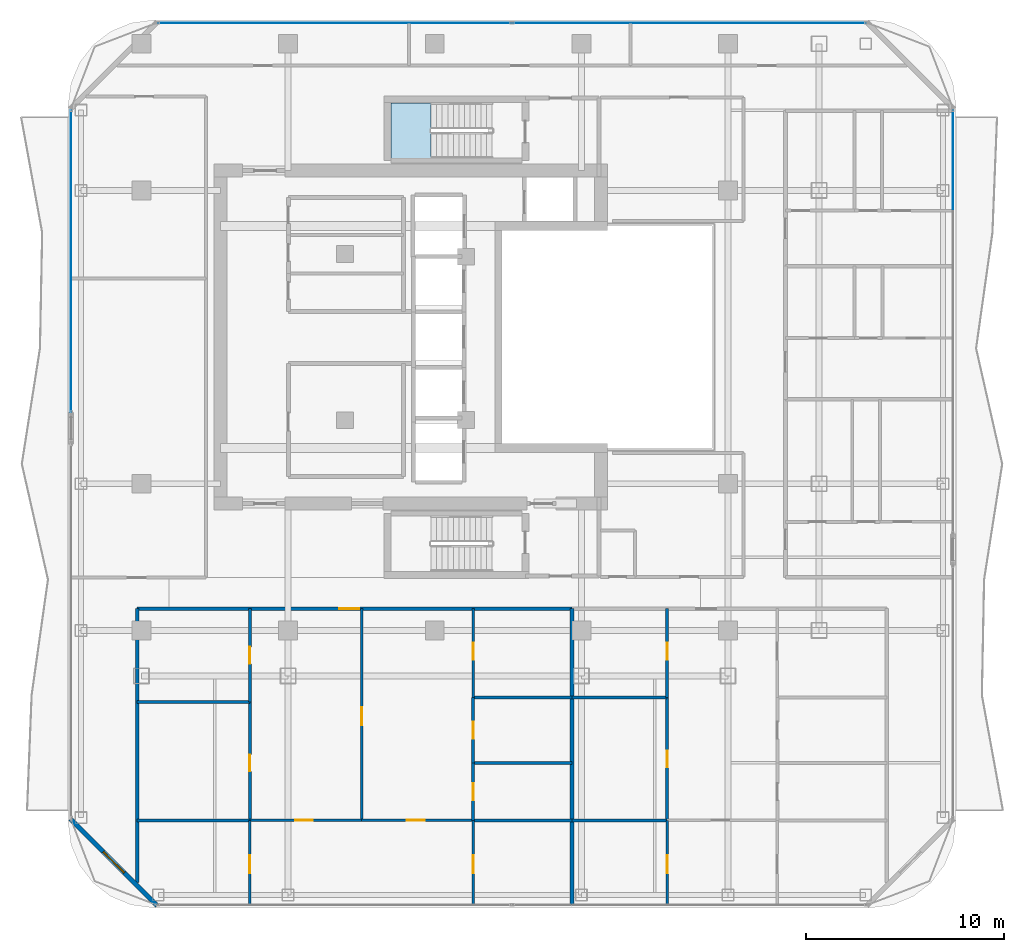
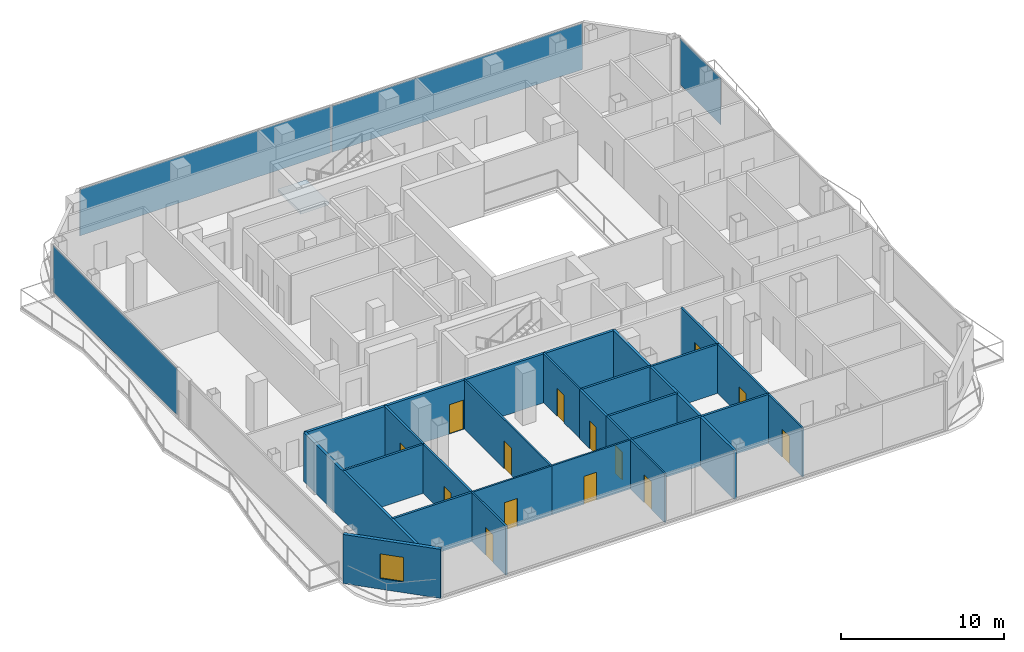
# One storey, part 20 of 27: 24 walls, 14 doors, 4 plates, 1 slab, 1 window, 15 openings, 4 elements without a shape of their own.
"""IFC4 building model written with IfcOpenShell, lengths in metres."""

import ifcopenshell
import ifcopenshell.guid

model = None  # the IFC model being written
_history = None  # IfcOwnerHistory: only IFC2X3 demands one
_inside = {}  # id of a spatial element -> (the spatial element, [elements in it])
_under = {}  # id of a project, library or spatial element -> (it, [spatial elements below it])
_declared = {}  # id of a project -> (the project, [libraries it declares])
_typed = {}  # id of a type object -> (the type object, [elements of that type])
_made_of = {}  # id of a material, layer set ... -> (it, [elements and type objects made of it])


def new_model(schema):
    """Start an empty IFC model of exactly this schema.

    Asked for "IFC4X3", IfcOpenShell would pick the latest addendum, in which some entities
    have other attributes; the version numbers below select the first issue.
    IFC2X3 requires an IfcOwnerHistory on every rooted entity: one is made here for all.
    """
    global model, _history
    if schema == "IFC4X3":
        model = ifcopenshell.file(schema_version=(4, 3, 0, 0))
    else:
        model = ifcopenshell.file(schema=schema)
    _inside.clear()
    _under.clear()
    _declared.clear()
    _typed.clear()
    _made_of.clear()
    _history = None
    if model.schema == "IFC2X3":
        org = make("IfcOrganization", Name="unknown")
        user = make(
            "IfcPersonAndOrganization",
            ThePerson=make("IfcPerson", FamilyName="unknown"),
            TheOrganization=org,
        )
        app = make(
            "IfcApplication",
            ApplicationDeveloper=org,
            Version="unknown",
            ApplicationFullName="unknown",
            ApplicationIdentifier="unknown",
        )
        _history = make(
            "IfcOwnerHistory",
            OwningUser=user,
            OwningApplication=app,
            ChangeAction="ADDED",
            CreationDate=0,
        )
    return model


def make(cls, **values):
    """One entity of the class cls with the attributes given. An attribute that is None is left unset."""
    return model.create_entity(
        cls, **{name: value for name, value in values.items() if value is not None}
    )


def rooted(cls, **values):
    """An entity with a GlobalId (a new one), such as an element, a storey or a relation."""
    return make(cls, GlobalId=ifcopenshell.guid.new(), OwnerHistory=_history, **values)


def si_unit(unit_type, name, prefix=None):
    """IfcSIUnit, for example si_unit("LENGTHUNIT", "METRE", prefix="MILLI")."""
    return make("IfcSIUnit", UnitType=unit_type, Prefix=prefix, Name=name)


def assignment(units):
    """IfcUnitAssignment: the units of a project."""
    return None if units is None else make("IfcUnitAssignment", Units=units)


def point(xyz):
    """IfcCartesianPoint."""
    return None if xyz is None else make("IfcCartesianPoint", Coordinates=xyz)


def direction(xyz):
    """IfcDirection."""
    return None if xyz is None else make("IfcDirection", DirectionRatios=xyz)


def frame(location, z_axis=None, x_axis=None):
    """IfcAxis2Placement3D, a coordinate frame: its origin and axes. An axis left out is left unset."""
    return make(
        "IfcAxis2Placement3D",
        Location=point(location),
        Axis=direction(z_axis),
        RefDirection=direction(x_axis),
    )


def frame_2d(location, x_axis=None):
    """IfcAxis2Placement2D, a coordinate frame in the plane: its origin and x axis."""
    return make(
        "IfcAxis2Placement2D", Location=point(location), RefDirection=direction(x_axis)
    )


def origin():
    """The frame at (0, 0, 0) with its axes left unset."""
    return frame((0.0, 0.0, 0.0))


def origin_2d():
    """The frame at (0, 0) in the plane with its x axis left unset."""
    return frame_2d((0.0, 0.0))


def place(relative_to, where):
    """IfcLocalPlacement: puts the frame where relative to a parent placement (None: the world)."""
    return make(
        "IfcLocalPlacement", PlacementRelTo=relative_to, RelativePlacement=where
    )


def context(
    kind, dimensions, precision=None, world=None, true_north=None, identifier=None
):
    """IfcGeometricRepresentationContext, for example the 3D "Model" context."""
    return make(
        "IfcGeometricRepresentationContext",
        ContextIdentifier=identifier,
        ContextType=kind,
        CoordinateSpaceDimension=dimensions,
        Precision=precision,
        WorldCoordinateSystem=world,
        TrueNorth=true_north,
    )


def subcontext(parent, identifier, kind, view, scale=None):
    """IfcGeometricRepresentationSubContext, for example "Body" below "Model"."""
    return make(
        "IfcGeometricRepresentationSubContext",
        ContextIdentifier=identifier,
        ContextType=kind,
        ParentContext=parent,
        TargetScale=scale,
        TargetView=view,
    )


def project(units=None, contexts=None):
    """IfcProject with its units and contexts."""
    return rooted(
        "IfcProject",
        Name="project",
        RepresentationContexts=contexts,
        UnitsInContext=assignment(units),
    )


def spatial(cls, under=None, at=None, **own):
    """A site, building, storey or space (cls), placed at a placement, below another one or the project."""
    s = rooted(cls, ObjectPlacement=at, **own)
    if under is not None:
        _under.setdefault(under.id(), (under, []))[1].append(s)
    return s


def polyline(points):
    """IfcPolyline through the points."""
    return make("IfcPolyline", Points=[point(p) for p in points])


def profile(cls, at=None, kind="AREA", **sizes):
    """A parametric profile (cls). Its sizes go by their IFC names, for example OverallWidth=200.0."""
    return make(cls, ProfileType=kind, Position=at, **sizes)


def rectangle(**sizes):
    """IfcRectangleProfileDef."""
    return profile("IfcRectangleProfileDef", **sizes)


def outline(outer, holes=None, kind="AREA"):
    """IfcArbitraryClosedProfileDef: a profile drawn as a closed curve; with holes, ...WithVoids."""
    if holes is None:
        return make("IfcArbitraryClosedProfileDef", ProfileType=kind, OuterCurve=outer)
    return make(
        "IfcArbitraryProfileDefWithVoids",
        ProfileType=kind,
        OuterCurve=outer,
        InnerCurves=holes,
    )


def extrude(swept, where, along, depth):
    """IfcExtrudedAreaSolid: the profile swept, set in the frame where, extruded along a direction by depth."""
    return make(
        "IfcExtrudedAreaSolid",
        SweptArea=swept,
        Position=where,
        ExtrudedDirection=direction(along),
        Depth=depth,
    )


def shape(context_of_items, identifier, shape_type, items):
    """IfcShapeRepresentation: the items that make up one representation, for example the "Body"."""
    return make(
        "IfcShapeRepresentation",
        ContextOfItems=context_of_items,
        RepresentationIdentifier=identifier,
        RepresentationType=shape_type,
        Items=items,
    )


def material(Name=None, Category=None):
    """IfcMaterial."""
    return make("IfcMaterial", Name=Name, Category=Category)


def layer(
    of_material, thickness, ventilated=None, Name=None, Category=None, Priority=None
):
    """IfcMaterialLayer: one layer of a wall or slab, of a material (None: an air gap)."""
    return make(
        "IfcMaterialLayer",
        Material=of_material,
        LayerThickness=thickness,
        IsVentilated=ventilated,
        Name=Name,
        Category=Category,
        Priority=Priority,
    )


def layer_set(layers, Name=None):
    """IfcMaterialLayerSet."""
    return make("IfcMaterialLayerSet", MaterialLayers=layers, LayerSetName=Name)


def made_of(thing, what):
    """Note that an element or type object is made of a material, layer set ...; save() writes the relation."""
    if what is not None:
        _made_of.setdefault(what.id(), (what, []))[1].append(thing)
    return thing


def type_object(cls, material=None, **own):
    """A type object (cls), such as IfcWallType, which elements share."""
    return made_of(rooted(cls, **own), material)


def element(
    cls,
    number,
    at=None,
    inside=None,
    cuts=None,
    type_object=None,
    material=None,
    context=None,
    identifier="Body",
    shape_type=None,
    held_by="IfcProductDefinitionShape",
    body=None,
    shapes=None,
    **own,
):
    """One element of the class cls, such as IfcWall. Its Tag is "e" and its number.

    at: its placement. inside: the storey or other place that contains it. cuts: it is an
    opening in that element (IfcRelVoidsElement). A single representation is given by context,
    identifier, shape_type and body (its items); several are given by shapes. held_by: the class
    of the entity that holds the representations. save() writes the other relations.
    """
    e = rooted(cls, Tag="e%d" % number, ObjectPlacement=at, **own)
    if body is not None:
        shapes = [shape(context, identifier, shape_type, body)]
    if shapes is not None:
        e.Representation = make(held_by, Representations=shapes)
    if inside is not None:
        _inside.setdefault(inside.id(), (inside, []))[1].append(e)
    if cuts is not None:
        rooted(
            "IfcRelVoidsElement", RelatingBuildingElement=cuts, RelatedOpeningElement=e
        )
    if type_object is not None:
        _typed.setdefault(type_object.id(), (type_object, []))[1].append(e)
    return made_of(e, material)


def fill(opening, filler):
    """IfcRelFillsElement: the door or window that sits in an opening."""
    return rooted(
        "IfcRelFillsElement",
        RelatingOpeningElement=opening,
        RelatedBuildingElement=filler,
    )


def aggregate(whole, parts):
    """IfcRelAggregates: a whole, such as a stair, and the parts it consists of."""
    return rooted("IfcRelAggregates", RelatingObject=whole, RelatedObjects=parts)


def save(model, path):
    """Write the relations noted so far, then the file.

    IfcRelAggregates (storeys below a building ...), IfcRelContainedInSpatialStructure (elements
    in a storey), IfcRelDefinesByType, IfcRelAssociatesMaterial and IfcRelDeclares: one each for
    every whole, place, type object, material and project.
    """
    for whole, parts in _under.values():
        aggregate(whole, parts)
    for where, things in _inside.values():
        rooted(
            "IfcRelContainedInSpatialStructure",
            RelatedElements=things,
            RelatingStructure=where,
        )
    for kind, things in _typed.values():
        rooted("IfcRelDefinesByType", RelatedObjects=things, RelatingType=kind)
    for what, things in _made_of.values():
        rooted("IfcRelAssociatesMaterial", RelatedObjects=things, RelatingMaterial=what)
    for by, libraries in _declared.values():
        rooted("IfcRelDeclares", RelatingContext=by, RelatedDefinitions=libraries)
    model.write(path)


model = new_model("IFC4")

# Units and contexts
model_context = context("Model", 3, precision=1e-05, world=origin(), true_north=direction((0.0, 1.0)))
body_context = subcontext(model_context, "Body", "Model", "MODEL_VIEW")
ifc_project = project(units=[si_unit("LENGTHUNIT", "METRE"), si_unit("AREAUNIT", "SQUARE_METRE"), si_unit("VOLUMEUNIT", "CUBIC_METRE"), si_unit("PLANEANGLEUNIT", "RADIAN"), si_unit("MASSUNIT", "GRAM", prefix="KILO")], contexts=[model_context])

# Site, building, storey
site_placement = place(None, origin())
site = spatial("IfcSite", under=ifc_project, at=site_placement, CompositionType="ELEMENT")
building_placement = place(site_placement, origin())
building = spatial("IfcBuilding", under=site, at=building_placement, Name="Khorvyn Point Tower", CompositionType="ELEMENT")
storey_placement = place(building_placement, frame((0.0, 0.0, 246.89990234375)))
storey = spatial("IfcBuildingStorey", under=building, at=storey_placement, Name="L60", CompositionType="ELEMENT", Elevation=246.89990234375)

# Stair, slab
ifc_material_1 = material(Name="Concrete C40/50", Category="concrete")
stair_type = type_object("IfcStairType", Name="Tower Concrete C40/50 Dogleg Exit Stair", PredefinedType="HALF_TURN_STAIR", material=ifc_material_1)
stair_placement = place(storey_placement, origin())
stair = element("IfcStair", 1, at=stair_placement, inside=storey, type_object=stair_type, Name="L60 Tower Smokeproof Exit Stair North", PredefinedType="HALF_TURN_STAIR")
ifc_layer_1 = layer(ifc_material_1, 0.199951171875)
ifc_layer_set_1 = layer_set([ifc_layer_1], Name="Concrete C40/50 Stair Landing Slab 200")
slab_type = type_object("IfcSlabType", Name="Concrete C40/50 Stair Landing Slab 200", PredefinedType="LANDING", material=ifc_layer_set_1)
slab_placement = place(storey_placement, frame((0.0, 0.0, 1.75)))
slab = element("IfcSlab", 2, at=slab_placement, type_object=slab_type, Name="ST-02 landing 1", PredefinedType="LANDING", context=body_context, shape_type="SweptSolid", body=[
    extrude(outline(polyline([(-0.179931640625, 11.820068359375), (-2.199951171875, 11.820068359375), (-2.199951171875, 9.02001953125), (-0.179931640625, 9.02001953125), (-0.179931640625, 11.820068359375)])), origin(), (0.0, 0.0, 1.0), 0.2001953125),
])
aggregate(stair, [slab])

# Curtain wall, plates
ifc_material_2 = material(Name="Anodised aluminium 6063-T6 and laminated Low-E glass", Category="aluminium")
ifc_layer_2 = layer(ifc_material_2, 0.18994140625)
ifc_layer_set_2 = layer_set([ifc_layer_2], Name="Stick-Built Acoustic Curtain Wall CW-SYS-03")
curtain_wall_type = type_object("IfcCurtainWallType", Name="Stick-Built Acoustic Curtain Wall CW-SYS-03", PredefinedType="NOTDEFINED", material=ifc_layer_set_2)
curtain_wall_1_placement = place(storey_placement, origin())
curtain_wall_1 = element("IfcCurtainWall", 3, at=curtain_wall_1_placement, inside=storey, type_object=curtain_wall_type, Name="Curtain Wall", PredefinedType="NOTDEFINED")
ifc_material_3 = material(Name="Laminated Low-E insulated glass", Category="glass")
ifc_layer_3 = layer(ifc_material_3, 0.028076171875)
ifc_layer_set_3 = layer_set([ifc_layer_3], Name="Tempered Low-E Vision Glazing Panel CW-GL28")
plate_type = type_object("IfcPlateType", Name="Tempered Low-E Vision Glazing Panel CW-GL28", PredefinedType="CURTAIN_PANEL", material=ifc_layer_set_3)
plate_1_placement = place(storey_placement, frame((-5.050048828125, 15.85009765625, 0.10009765625), z_axis=(0.0, 0.0, 1.0), x_axis=(1.0, 0.0, 0.0)))
plate_1 = element("IfcPlate", 4, at=plate_1_placement, type_object=plate_type, Name="Panel", PredefinedType="CURTAIN_PANEL", context=body_context, shape_type="SweptSolid", body=[
    extrude(rectangle(XDim=17.800048828125, YDim=0.028076171875, at=origin_2d()), origin(), (0.0, 0.0, 1.0), 3.47998046875),
])
plate_2_placement = place(storey_placement, frame((12.85009765625, 15.85009765625, 0.10009765625), z_axis=(0.0, 0.0, 1.0), x_axis=(1.0, 0.0, 0.0)))
plate_2 = element("IfcPlate", 5, at=plate_2_placement, type_object=plate_type, Name="Panel", PredefinedType="CURTAIN_PANEL", context=body_context, shape_type="SweptSolid", body=[
    extrude(rectangle(XDim=17.800048828125, YDim=0.028076171875, at=origin_2d()), origin(), (0.0, 0.0, 1.0), 3.47998046875),
])
aggregate(curtain_wall_1, [plate_1, plate_2])

# Curtain wall, plate
curtain_wall_2_placement = place(storey_placement, origin())
curtain_wall_2 = element("IfcCurtainWall", 6, at=curtain_wall_2_placement, inside=storey, type_object=curtain_wall_type, Name="Curtain Wall", PredefinedType="NOTDEFINED")
plate_3_placement = place(storey_placement, frame((-18.35009765625, 3.83251953125, 0.10009765625), z_axis=(0.0, 0.0, 1.0), x_axis=(0.0, 1.0, 0.0)))
plate_3 = element("IfcPlate", 7, at=plate_3_placement, type_object=plate_type, Name="Panel", PredefinedType="CURTAIN_PANEL", context=body_context, shape_type="SweptSolid", body=[
    extrude(rectangle(XDim=15.235107421875, YDim=0.028076171875, at=origin_2d()), origin(), (0.0, 0.0, 1.0), 3.47998046875),
])
aggregate(curtain_wall_2, [plate_3])

curtain_wall_3_placement = place(storey_placement, origin())
curtain_wall_3 = element("IfcCurtainWall", 8, at=curtain_wall_3_placement, inside=storey, type_object=curtain_wall_type, Name="Curtain Wall", PredefinedType="NOTDEFINED")
plate_4_placement = place(storey_placement, frame((26.14990234375, 8.945068359375, 0.10009765625), z_axis=(0.0, 0.0, 1.0), x_axis=(0.0, -1.0, 0.0)))
plate_4 = element("IfcPlate", 9, at=plate_4_placement, type_object=plate_type, Name="Panel", PredefinedType="CURTAIN_PANEL", context=body_context, shape_type="SweptSolid", body=[
    extrude(rectangle(XDim=5.001953125, YDim=0.028076171875, at=origin_2d()), origin(), (0.0, 0.0, 1.0), 3.47998046875),
])
aggregate(curtain_wall_3, [plate_4])

# Wall, opening, door
ifc_material_4 = material(Name="Double acoustic gypsum on twin steel stud", Category="steel")
ifc_layer_4 = layer(ifc_material_4, 0.179931640625)
ifc_layer_set_4 = layer_set([ifc_layer_4], Name="Acoustic Double-Stud Apartment Demising Wall 180")
wall_type_1 = type_object("IfcWallType", Name="Acoustic Double-Stud Apartment Demising Wall 180", PredefinedType="PARTITIONING", material=ifc_layer_set_4)
wall_1_placement = place(storey_placement, frame((-15.02001953125, -13.699951171875, 0.0), z_axis=(0.0, 0.0, 1.0), x_axis=(1.0, 0.0, 0.0)))
wall_1 = element("IfcWall", 10, at=wall_1_placement, inside=storey, type_object=wall_type_1, Name="Wall", PredefinedType="PARTITIONING", context=body_context, shape_type="SweptSolid", body=[
    extrude(rectangle(XDim=21.947021484375, YDim=0.179931640625, at=frame_2d((10.9736328125, 0.0))), origin(), (0.0, 0.0, 1.0), 3.68017578125),
])
opening_1_placement = place(wall_1_placement, frame((10.20458984375, 0.0, 0.0)))
opening_1 = element("IfcOpeningElement", 11, at=opening_1_placement, cuts=wall_1, Name="Opening ID-AP60", PredefinedType="OPENING", context=body_context, shape_type="SweptSolid", body=[
    extrude(rectangle(XDim=1.0, YDim=2.199951171875, at=frame_2d((0.5, 1.10009765625))), frame((0.0, 0.099853515625, 0.0), z_axis=(0.0, -1.0, 0.0), x_axis=(1.0, 0.0, 0.0)), (0.0, 0.0, 1.0), 0.199951171875),
])
ifc_material_5 = material(Name="Engineered hardwood fire-rated leaf", Category="wood")
door_type_1 = type_object("IfcDoorType", Name="Acoustic Solid-Core Timber Apartment Entrance Door 1000x2200", OperationType="NOTDEFINED", PredefinedType="DOOR", material=ifc_material_5)
door_1_placement = place(opening_1_placement, origin())
door_1 = element("IfcDoor", 12, at=door_1_placement, inside=storey, type_object=door_type_1, Name="Door", OperationType="SINGLE_SWING_RIGHT", OverallHeight=2.199951171875, OverallWidth=1.0, PredefinedType="DOOR", context=body_context, shape_type="SweptSolid", body=[
    extrude(rectangle(XDim=1.0, YDim=2.199951171875, at=frame_2d((0.5, 1.10009765625))), frame((0.0, 0.02490234375, 0.0), z_axis=(0.0, -1.0, 0.0), x_axis=(1.0, 0.0, 0.0)), (0.0, 0.0, 1.0), 0.050048828125),
])
fill(opening_1, door_1)

# Walls
wall_2_placement = place(storey_placement, frame((6.927001953125, -28.6298828125, 0.0), z_axis=(0.0, 0.0, 1.0), x_axis=(0.0, 1.0, 0.0)))
element("IfcWall", 13, at=wall_2_placement, inside=storey, type_object=wall_type_1, Name="Wall", PredefinedType="PARTITIONING", context=body_context, shape_type="SweptSolid", body=[
    extrude(rectangle(XDim=14.929931640625, YDim=0.179931640625, at=frame_2d((7.46484375, 0.0))), origin(), (0.0, 0.0, 1.0), 3.68017578125),
])
wall_3_placement = place(storey_placement, frame((-15.02001953125, -27.510009765625, 0.0), z_axis=(0.0, 0.0, 1.0), x_axis=(0.0, 1.0, 0.0)))
element("IfcWall", 14, at=wall_3_placement, inside=storey, type_object=wall_type_1, Name="Wall", PredefinedType="PARTITIONING", context=body_context, shape_type="SweptSolid", body=[
    extrude(rectangle(XDim=13.81005859375, YDim=0.179931640625, at=frame_2d((6.905029296875, 0.0))), origin(), (0.0, 0.0, 1.0), 3.68017578125),
])

# Wall, opening, window
ifc_material_6 = material(Name="Pale anodised aluminium rainscreen on steel stud", Category="steel")
ifc_layer_5 = layer(ifc_material_6, 0.239990234375)
ifc_layer_set_5 = layer_set([ifc_layer_5], Name="Anodised Aluminium Insulated Corner Spandrel Wall 240")
wall_type_2 = type_object("IfcWallType", Name="Anodised Aluminium Insulated Corner Spandrel Wall 240", PredefinedType="SOLIDWALL", material=ifc_layer_set_5)
wall_4_placement = place(storey_placement, frame((-14.007568359375, -28.6923828125, 0.0), z_axis=(0.0, 0.0, 1.0), x_axis=(-0.707106781187, 0.707106781187, 0.0)))
wall_4 = element("IfcWall", 15, at=wall_4_placement, inside=storey, type_object=wall_type_2, Name="L60 Rounded Corner Wall SW", PredefinedType="SOLIDWALL", context=body_context, shape_type="SweptSolid", body=[
    extrude(rectangle(XDim=6.200927734375, YDim=0.239990234375, at=frame_2d((3.1005859375, 0.0))), origin(), (0.0, 0.0, 1.0), 3.68017578125),
])
opening_2_placement = place(wall_4_placement, frame((2.3505859375, 0.0, 0.800048828125)))
opening_2 = element("IfcOpeningElement", 16, at=opening_2_placement, cuts=wall_4, Name="Opening WN-1518", PredefinedType="OPENING", context=body_context, shape_type="SweptSolid", body=[
    extrude(rectangle(XDim=1.5, YDim=1.85009765625, at=frame_2d((0.75, 0.925048828125))), frame((0.0, 0.1298828125, 0.0), z_axis=(0.0, -1.0, 0.0), x_axis=(1.0, 0.0, 0.0)), (0.0, 0.0, 1.0), 0.260009765625),
])
window_type = type_object("IfcWindowType", Name="Anodised Aluminium Rounded-Corner Panoramic Window 1500x1850", PartitioningType="SINGLE_PANEL", PredefinedType="WINDOW", material=ifc_material_2)
window_placement = place(opening_2_placement, origin())
window = element("IfcWindow", 17, at=window_placement, inside=storey, type_object=window_type, Name="L60 Corner Panoramic Window SW", OverallHeight=1.85009765625, OverallWidth=1.5, PartitioningType="SINGLE_PANEL", PredefinedType="WINDOW", context=body_context, shape_type="SweptSolid", body=[
    extrude(rectangle(XDim=1.5, YDim=1.85009765625, at=frame_2d((0.75, 0.925048828125))), frame((0.0, 0.030029296875, 0.0), z_axis=(0.0, -1.0, 0.0), x_axis=(1.0, 0.0, 0.0)), (0.0, 0.0, 1.0), 0.06005859375),
])
fill(opening_2, window)

# Wall, opening, door
ifc_material_7 = material(Name="Gypsum plasterboard on steel stud", Category="steel")
ifc_layer_6 = layer(ifc_material_7, 0.1201171875)
ifc_layer_set_6 = layer_set([ifc_layer_6], Name="Gypsum Acoustic Stud Room Partition Wall 120")
wall_type_3 = type_object("IfcWallType", Name="Gypsum Acoustic Stud Room Partition Wall 120", PredefinedType="PARTITIONING", material=ifc_layer_set_6)
wall_5_placement = place(storey_placement, frame((-9.323974609375, -24.389892578125, 0.0), z_axis=(0.0, 0.0, 1.0), x_axis=(1.0, 0.0, 0.0)))
wall_5 = element("IfcWall", 18, at=wall_5_placement, inside=storey, type_object=wall_type_3, Name="Wall", PredefinedType="PARTITIONING", context=body_context, shape_type="SweptSolid", body=[
    extrude(rectangle(XDim=5.633056640625, YDim=0.1201171875, at=frame_2d((2.81640625, 0.0))), origin(), (0.0, 0.0, 1.0), 3.68017578125),
])
opening_3_placement = place(wall_5_placement, frame((2.2783203125, 0.0, 0.0)))
opening_3 = element("IfcOpeningElement", 19, at=opening_3_placement, cuts=wall_5, Name="Opening ID-RM90", PredefinedType="OPENING", context=body_context, shape_type="SweptSolid", body=[
    extrude(rectangle(XDim=0.89990234375, YDim=2.10009765625, at=frame_2d((0.449951171875, 1.050048828125))), frame((0.0, 0.070068359375, 0.0), z_axis=(0.0, -1.0, 0.0), x_axis=(1.0, 0.0, 0.0)), (0.0, 0.0, 1.0), 0.14013671875),
])
ifc_material_8 = material(Name="Engineered oak veneer timber", Category="wood")
door_type_2 = type_object("IfcDoorType", Name="Flush Engineered Timber Room Door 900x2100", OperationType="NOTDEFINED", PredefinedType="DOOR", material=ifc_material_8)
door_2_placement = place(opening_3_placement, origin())
door_2 = element("IfcDoor", 20, at=door_2_placement, inside=storey, type_object=door_type_2, Name="Door", OperationType="SINGLE_SWING_LEFT", OverallHeight=2.10009765625, OverallWidth=0.89990234375, PredefinedType="DOOR", context=body_context, shape_type="SweptSolid", body=[
    extrude(rectangle(XDim=0.89990234375, YDim=2.10009765625, at=frame_2d((0.449951171875, 1.050048828125))), frame((0.0, 0.02490234375, 0.0), z_axis=(0.0, -1.0, 0.0), x_axis=(1.0, 0.0, 0.0)), (0.0, 0.0, 1.0), 0.050048828125),
])
fill(opening_3, door_2)

wall_6_placement = place(storey_placement, frame((-3.69091796875, -24.389892578125, 0.0), z_axis=(0.0, 0.0, 1.0), x_axis=(1.0, 0.0, 0.0)))
wall_6 = element("IfcWall", 21, at=wall_6_placement, inside=storey, type_object=wall_type_3, Name="Wall", PredefinedType="PARTITIONING", context=body_context, shape_type="SweptSolid", body=[
    extrude(rectangle(XDim=5.634033203125, YDim=0.1201171875, at=frame_2d((2.81689453125, 0.0))), origin(), (0.0, 0.0, 1.0), 3.68017578125),
])
opening_4_placement = place(wall_6_placement, frame((2.27880859375, 0.0, 0.0)))
opening_4 = element("IfcOpeningElement", 22, at=opening_4_placement, cuts=wall_6, Name="Opening ID-RM90", PredefinedType="OPENING", context=body_context, shape_type="SweptSolid", body=[
    extrude(rectangle(XDim=0.89990234375, YDim=2.10009765625, at=frame_2d((0.449951171875, 1.050048828125))), frame((0.0, 0.070068359375, 0.0), z_axis=(0.0, -1.0, 0.0), x_axis=(1.0, 0.0, 0.0)), (0.0, 0.0, 1.0), 0.14013671875),
])
door_3_placement = place(opening_4_placement, origin())
door_3 = element("IfcDoor", 23, at=door_3_placement, inside=storey, type_object=door_type_2, Name="Door", OperationType="SINGLE_SWING_RIGHT", OverallHeight=2.10009765625, OverallWidth=0.89990234375, PredefinedType="DOOR", context=body_context, shape_type="SweptSolid", body=[
    extrude(rectangle(XDim=0.89990234375, YDim=2.10009765625, at=frame_2d((0.449951171875, 1.050048828125))), frame((0.0, 0.02490234375, 0.0), z_axis=(0.0, -1.0, 0.0), x_axis=(1.0, 0.0, 0.0)), (0.0, 0.0, 1.0), 0.050048828125),
])
fill(opening_4, door_3)

wall_7_placement = place(storey_placement, frame((-3.69091796875, -24.389892578125, 0.0), z_axis=(0.0, 0.0, 1.0), x_axis=(0.0, 1.0, 0.0)))
wall_7 = element("IfcWall", 24, at=wall_7_placement, inside=storey, type_object=wall_type_3, Name="Wall", PredefinedType="PARTITIONING", context=body_context, shape_type="SweptSolid", body=[
    extrude(rectangle(XDim=10.68994140625, YDim=0.1201171875, at=frame_2d((5.344970703125, 0.0))), origin(), (0.0, 0.0, 1.0), 3.68017578125),
])
opening_5_placement = place(wall_7_placement, frame((4.8056640625, 0.0, 0.0)))
opening_5 = element("IfcOpeningElement", 25, at=opening_5_placement, cuts=wall_7, Name="Opening ID-RM90", PredefinedType="OPENING", context=body_context, shape_type="SweptSolid", body=[
    extrude(rectangle(XDim=0.89990234375, YDim=2.10009765625, at=frame_2d((0.449951171875, 1.050048828125))), frame((0.0, 0.070068359375, 0.0), z_axis=(0.0, -1.0, 0.0), x_axis=(1.0, 0.0, 0.0)), (0.0, 0.0, 1.0), 0.14013671875),
])
door_4_placement = place(opening_5_placement, origin())
door_4 = element("IfcDoor", 26, at=door_4_placement, inside=storey, type_object=door_type_2, Name="Door", OperationType="SINGLE_SWING_LEFT", OverallHeight=2.10009765625, OverallWidth=0.89990234375, PredefinedType="DOOR", context=body_context, shape_type="SweptSolid", body=[
    extrude(rectangle(XDim=0.89990234375, YDim=2.10009765625, at=frame_2d((0.449951171875, 1.050048828125))), frame((0.0, 0.02490234375, 0.0), z_axis=(0.0, -1.0, 0.0), x_axis=(1.0, 0.0, 0.0)), (0.0, 0.0, 1.0), 0.050048828125),
])
fill(opening_5, door_4)

wall_8_placement = place(storey_placement, frame((-9.323974609375, -28.6298828125, 0.0), z_axis=(0.0, 0.0, 1.0), x_axis=(0.0, 1.0, 0.0)))
wall_8 = element("IfcWall", 27, at=wall_8_placement, inside=storey, type_object=wall_type_3, Name="Wall", PredefinedType="PARTITIONING", context=body_context, shape_type="SweptSolid", body=[
    extrude(rectangle(XDim=4.239990234375, YDim=0.1201171875, at=frame_2d((2.1201171875, 0.0))), origin(), (0.0, 0.0, 1.0), 3.68017578125),
])
opening_6_placement = place(wall_8_placement, frame((1.581298828125, 0.0, 0.0)))
opening_6 = element("IfcOpeningElement", 28, at=opening_6_placement, cuts=wall_8, Name="Opening ID-RM90", PredefinedType="OPENING", context=body_context, shape_type="SweptSolid", body=[
    extrude(rectangle(XDim=0.89990234375, YDim=2.10009765625, at=frame_2d((0.449951171875, 1.050048828125))), frame((0.0, 0.070068359375, 0.0), z_axis=(0.0, -1.0, 0.0), x_axis=(1.0, 0.0, 0.0)), (0.0, 0.0, 1.0), 0.14013671875),
])
door_5_placement = place(opening_6_placement, origin())
door_5 = element("IfcDoor", 29, at=door_5_placement, inside=storey, type_object=door_type_2, Name="Door", OperationType="SINGLE_SWING_RIGHT", OverallHeight=2.10009765625, OverallWidth=0.89990234375, PredefinedType="DOOR", context=body_context, shape_type="SweptSolid", body=[
    extrude(rectangle(XDim=0.89990234375, YDim=2.10009765625, at=frame_2d((0.449951171875, 1.050048828125))), frame((0.0, 0.02490234375, 0.0), z_axis=(0.0, -1.0, 0.0), x_axis=(1.0, 0.0, 0.0)), (0.0, 0.0, 1.0), 0.050048828125),
])
fill(opening_6, door_5)

wall_9_placement = place(storey_placement, frame((1.943115234375, -18.18994140625, 0.0), z_axis=(0.0, 0.0, 1.0), x_axis=(0.0, 1.0, 0.0)))
wall_9 = element("IfcWall", 30, at=wall_9_placement, inside=storey, type_object=wall_type_3, Name="Wall", PredefinedType="PARTITIONING", context=body_context, shape_type="SweptSolid", body=[
    extrude(rectangle(XDim=4.489990234375, YDim=0.1201171875, at=frame_2d((2.2451171875, 0.0))), origin(), (0.0, 0.0, 1.0), 3.68017578125),
])
opening_7_placement = place(wall_9_placement, frame((1.907470703125, 0.0, 0.0)))
opening_7 = element("IfcOpeningElement", 31, at=opening_7_placement, cuts=wall_9, Name="Opening ID-WC85", PredefinedType="OPENING", context=body_context, shape_type="SweptSolid", body=[
    extrude(rectangle(XDim=0.85009765625, YDim=2.10009765625, at=frame_2d((0.425048828125, 1.050048828125))), frame((0.0, 0.070068359375, 0.0), z_axis=(0.0, -1.0, 0.0), x_axis=(1.0, 0.0, 0.0)), (0.0, 0.0, 1.0), 0.14013671875),
])
ifc_material_9 = material(Name="High-pressure laminate on moisture-resistant core", Category="wood")
door_type_3 = type_object("IfcDoorType", Name="Moisture-Resistant Accessible Washroom Door 850x2100", OperationType="NOTDEFINED", PredefinedType="DOOR", material=ifc_material_9)
door_6_placement = place(opening_7_placement, origin())
door_6 = element("IfcDoor", 32, at=door_6_placement, inside=storey, type_object=door_type_3, Name="Door", OperationType="SINGLE_SWING_LEFT", OverallHeight=2.10009765625, OverallWidth=0.85009765625, PredefinedType="DOOR", context=body_context, shape_type="SweptSolid", body=[
    extrude(rectangle(XDim=0.85009765625, YDim=2.10009765625, at=frame_2d((0.425048828125, 1.050048828125))), frame((0.0, 0.02490234375, 0.0), z_axis=(0.0, -1.0, 0.0), x_axis=(1.0, 0.0, 0.0)), (0.0, 0.0, 1.0), 0.050048828125),
])
fill(opening_7, door_6)

wall_10_placement = place(storey_placement, frame((1.943115234375, -28.6298828125, 0.0), z_axis=(0.0, 0.0, 1.0), x_axis=(0.0, 1.0, 0.0)))
wall_10 = element("IfcWall", 33, at=wall_10_placement, inside=storey, type_object=wall_type_3, Name="Wall", PredefinedType="PARTITIONING", context=body_context, shape_type="SweptSolid", body=[
    extrude(rectangle(XDim=4.239990234375, YDim=0.1201171875, at=frame_2d((2.1201171875, 0.0))), origin(), (0.0, 0.0, 1.0), 3.68017578125),
])
opening_8_placement = place(wall_10_placement, frame((1.581298828125, 0.0, 0.0)))
opening_8 = element("IfcOpeningElement", 34, at=opening_8_placement, cuts=wall_10, Name="Opening ID-RM90", PredefinedType="OPENING", context=body_context, shape_type="SweptSolid", body=[
    extrude(rectangle(XDim=0.89990234375, YDim=2.10009765625, at=frame_2d((0.449951171875, 1.050048828125))), frame((0.0, 0.070068359375, 0.0), z_axis=(0.0, -1.0, 0.0), x_axis=(1.0, 0.0, 0.0)), (0.0, 0.0, 1.0), 0.14013671875),
])
door_7_placement = place(opening_8_placement, origin())
door_7 = element("IfcDoor", 35, at=door_7_placement, inside=storey, type_object=door_type_2, Name="Door", OperationType="SINGLE_SWING_RIGHT", OverallHeight=2.10009765625, OverallWidth=0.89990234375, PredefinedType="DOOR", context=body_context, shape_type="SweptSolid", body=[
    extrude(rectangle(XDim=0.89990234375, YDim=2.10009765625, at=frame_2d((0.449951171875, 1.050048828125))), frame((0.0, 0.02490234375, 0.0), z_axis=(0.0, -1.0, 0.0), x_axis=(1.0, 0.0, 0.0)), (0.0, 0.0, 1.0), 0.050048828125),
])
fill(opening_8, door_7)

wall_11_placement = place(storey_placement, frame((11.72998046875, -28.6298828125, 0.0), z_axis=(0.0, 0.0, 1.0), x_axis=(0.0, 1.0, 0.0)))
wall_11 = element("IfcWall", 36, at=wall_11_placement, inside=storey, type_object=wall_type_3, Name="Wall", PredefinedType="PARTITIONING", context=body_context, shape_type="SweptSolid", body=[
    extrude(rectangle(XDim=4.239990234375, YDim=0.1201171875, at=frame_2d((2.1201171875, 0.0))), origin(), (0.0, 0.0, 1.0), 3.68017578125),
])
opening_9_placement = place(wall_11_placement, frame((1.581298828125, 0.0, 0.0)))
opening_9 = element("IfcOpeningElement", 37, at=opening_9_placement, cuts=wall_11, Name="Opening ID-RM90", PredefinedType="OPENING", context=body_context, shape_type="SweptSolid", body=[
    extrude(rectangle(XDim=0.89990234375, YDim=2.10009765625, at=frame_2d((0.449951171875, 1.050048828125))), frame((0.0, 0.070068359375, 0.0), z_axis=(0.0, -1.0, 0.0), x_axis=(1.0, 0.0, 0.0)), (0.0, 0.0, 1.0), 0.14013671875),
])
door_8_placement = place(opening_9_placement, origin())
door_8 = element("IfcDoor", 38, at=door_8_placement, inside=storey, type_object=door_type_2, Name="Door", OperationType="SINGLE_SWING_LEFT", OverallHeight=2.10009765625, OverallWidth=0.89990234375, PredefinedType="DOOR", context=body_context, shape_type="SweptSolid", body=[
    extrude(rectangle(XDim=0.89990234375, YDim=2.10009765625, at=frame_2d((0.449951171875, 1.050048828125))), frame((0.0, 0.02490234375, 0.0), z_axis=(0.0, -1.0, 0.0), x_axis=(1.0, 0.0, 0.0)), (0.0, 0.0, 1.0), 0.050048828125),
])
fill(opening_9, door_8)

ifc_material_10 = material(Name="Moisture-resistant gypsum and cement board", Category="gypsum")
ifc_layer_7 = layer(ifc_material_10, 0.14990234375)
ifc_layer_set_7 = layer_set([ifc_layer_7], Name="Moisture-Resistant Wet-Room Partition Wall 150")
wall_type_4 = type_object("IfcWallType", Name="Moisture-Resistant Wet-Room Partition Wall 150", PredefinedType="PARTITIONING", material=ifc_layer_set_7)
wall_12_placement = place(storey_placement, frame((-9.323974609375, -24.389892578125, 0.0), z_axis=(0.0, 0.0, 1.0), x_axis=(0.0, 1.0, 0.0)))
wall_12 = element("IfcWall", 39, at=wall_12_placement, inside=storey, type_object=wall_type_4, Name="Wall", PredefinedType="PARTITIONING", context=body_context, shape_type="SweptSolid", body=[
    extrude(rectangle(XDim=5.968994140625, YDim=0.14990234375, at=frame_2d((2.984375, 0.0))), origin(), (0.0, 0.0, 1.0), 3.68017578125),
])
opening_10_placement = place(wall_12_placement, frame((2.470703125, 0.0, 0.0)))
opening_10 = element("IfcOpeningElement", 40, at=opening_10_placement, cuts=wall_12, Name="Opening ID-WC85", PredefinedType="OPENING", context=body_context, shape_type="SweptSolid", body=[
    extrude(rectangle(XDim=0.85009765625, YDim=2.10009765625, at=frame_2d((0.425048828125, 1.050048828125))), frame((0.0, 0.0849609375, 0.0), z_axis=(0.0, -1.0, 0.0), x_axis=(1.0, 0.0, 0.0)), (0.0, 0.0, 1.0), 0.169921875),
])
door_9_placement = place(opening_10_placement, origin())
door_9 = element("IfcDoor", 41, at=door_9_placement, inside=storey, type_object=door_type_3, Name="Door", OperationType="SINGLE_SWING_RIGHT", OverallHeight=2.10009765625, OverallWidth=0.85009765625, PredefinedType="DOOR", context=body_context, shape_type="SweptSolid", body=[
    extrude(rectangle(XDim=0.85009765625, YDim=2.10009765625, at=frame_2d((0.425048828125, 1.050048828125))), frame((0.0, 0.02490234375, 0.0), z_axis=(0.0, -1.0, 0.0), x_axis=(1.0, 0.0, 0.0)), (0.0, 0.0, 1.0), 0.050048828125),
])
fill(opening_10, door_9)

wall_13_placement = place(storey_placement, frame((-9.323974609375, -18.4208984375, 0.0), z_axis=(0.0, 0.0, 1.0), x_axis=(0.0, 1.0, 0.0)))
wall_13 = element("IfcWall", 42, at=wall_13_placement, inside=storey, type_object=wall_type_4, Name="Wall", PredefinedType="PARTITIONING", context=body_context, shape_type="SweptSolid", body=[
    extrude(rectangle(XDim=4.720947265625, YDim=0.14990234375, at=frame_2d((2.3603515625, 0.0))), origin(), (0.0, 0.0, 1.0), 3.68017578125),
])
opening_11_placement = place(wall_13_placement, frame((1.935546875, 0.0, 0.0)))
opening_11 = element("IfcOpeningElement", 43, at=opening_11_placement, cuts=wall_13, Name="Opening ID-WC85", PredefinedType="OPENING", context=body_context, shape_type="SweptSolid", body=[
    extrude(rectangle(XDim=0.85009765625, YDim=2.10009765625, at=frame_2d((0.425048828125, 1.050048828125))), frame((0.0, 0.0849609375, 0.0), z_axis=(0.0, -1.0, 0.0), x_axis=(1.0, 0.0, 0.0)), (0.0, 0.0, 1.0), 0.169921875),
])
door_10_placement = place(opening_11_placement, origin())
door_10 = element("IfcDoor", 44, at=door_10_placement, inside=storey, type_object=door_type_3, Name="Door", OperationType="SINGLE_SWING_LEFT", OverallHeight=2.10009765625, OverallWidth=0.85009765625, PredefinedType="DOOR", context=body_context, shape_type="SweptSolid", body=[
    extrude(rectangle(XDim=0.85009765625, YDim=2.10009765625, at=frame_2d((0.425048828125, 1.050048828125))), frame((0.0, 0.02490234375, 0.0), z_axis=(0.0, -1.0, 0.0), x_axis=(1.0, 0.0, 0.0)), (0.0, 0.0, 1.0), 0.050048828125),
])
fill(opening_11, door_10)

wall_14_placement = place(storey_placement, frame((1.943115234375, -24.389892578125, 0.0), z_axis=(0.0, 0.0, 1.0), x_axis=(0.0, 1.0, 0.0)))
wall_14 = element("IfcWall", 45, at=wall_14_placement, inside=storey, type_object=wall_type_4, Name="Wall", PredefinedType="PARTITIONING", context=body_context, shape_type="SweptSolid", body=[
    extrude(rectangle(XDim=2.885986328125, YDim=0.14990234375, at=frame_2d((1.44287109375, 0.0))), origin(), (0.0, 0.0, 1.0), 3.68017578125),
])
opening_12_placement = place(wall_14_placement, frame((1.01806640625, 0.0, 0.0)))
opening_12 = element("IfcOpeningElement", 46, at=opening_12_placement, cuts=wall_14, Name="Opening ID-WC85", PredefinedType="OPENING", context=body_context, shape_type="SweptSolid", body=[
    extrude(rectangle(XDim=0.85009765625, YDim=2.10009765625, at=frame_2d((0.425048828125, 1.050048828125))), frame((0.0, 0.0849609375, 0.0), z_axis=(0.0, -1.0, 0.0), x_axis=(1.0, 0.0, 0.0)), (0.0, 0.0, 1.0), 0.169921875),
])
door_11_placement = place(opening_12_placement, origin())
door_11 = element("IfcDoor", 47, at=door_11_placement, inside=storey, type_object=door_type_3, Name="Door", OperationType="SINGLE_SWING_LEFT", OverallHeight=2.10009765625, OverallWidth=0.85009765625, PredefinedType="DOOR", context=body_context, shape_type="SweptSolid", body=[
    extrude(rectangle(XDim=0.85009765625, YDim=2.10009765625, at=frame_2d((0.425048828125, 1.050048828125))), frame((0.0, 0.02490234375, 0.0), z_axis=(0.0, -1.0, 0.0), x_axis=(1.0, 0.0, 0.0)), (0.0, 0.0, 1.0), 0.050048828125),
])
fill(opening_12, door_11)

wall_15_placement = place(storey_placement, frame((1.943115234375, -21.50390625, 0.0), z_axis=(0.0, 0.0, 1.0), x_axis=(0.0, 1.0, 0.0)))
wall_15 = element("IfcWall", 48, at=wall_15_placement, inside=storey, type_object=wall_type_4, Name="Wall", PredefinedType="PARTITIONING", context=body_context, shape_type="SweptSolid", body=[
    extrude(rectangle(XDim=3.31396484375, YDim=0.14990234375, at=frame_2d((1.656982421875, 0.0))), origin(), (0.0, 0.0, 1.0), 3.68017578125),
])
opening_13_placement = place(wall_15_placement, frame((1.23193359375, 0.0, 0.0)))
opening_13 = element("IfcOpeningElement", 49, at=opening_13_placement, cuts=wall_15, Name="Opening ID-WC85", PredefinedType="OPENING", context=body_context, shape_type="SweptSolid", body=[
    extrude(rectangle(XDim=0.85009765625, YDim=2.10009765625, at=frame_2d((0.425048828125, 1.050048828125))), frame((0.0, 0.0849609375, 0.0), z_axis=(0.0, -1.0, 0.0), x_axis=(1.0, 0.0, 0.0)), (0.0, 0.0, 1.0), 0.169921875),
])
door_12_placement = place(opening_13_placement, origin())
door_12 = element("IfcDoor", 50, at=door_12_placement, inside=storey, type_object=door_type_3, Name="Door", OperationType="SINGLE_SWING_RIGHT", OverallHeight=2.10009765625, OverallWidth=0.85009765625, PredefinedType="DOOR", context=body_context, shape_type="SweptSolid", body=[
    extrude(rectangle(XDim=0.85009765625, YDim=2.10009765625, at=frame_2d((0.425048828125, 1.050048828125))), frame((0.0, 0.02490234375, 0.0), z_axis=(0.0, -1.0, 0.0), x_axis=(1.0, 0.0, 0.0)), (0.0, 0.0, 1.0), 0.050048828125),
])
fill(opening_13, door_12)

wall_16_placement = place(storey_placement, frame((11.72998046875, -24.389892578125, 0.0), z_axis=(0.0, 0.0, 1.0), x_axis=(0.0, 1.0, 0.0)))
wall_16 = element("IfcWall", 51, at=wall_16_placement, inside=storey, type_object=wall_type_4, Name="Wall", PredefinedType="PARTITIONING", context=body_context, shape_type="SweptSolid", body=[
    extrude(rectangle(XDim=6.199951171875, YDim=0.14990234375, at=frame_2d((3.10009765625, 0.0))), origin(), (0.0, 0.0, 1.0), 3.68017578125),
])
opening_14_placement = place(wall_16_placement, frame((2.675048828125, 0.0, 0.0)))
opening_14 = element("IfcOpeningElement", 52, at=opening_14_placement, cuts=wall_16, Name="Opening ID-WC85", PredefinedType="OPENING", context=body_context, shape_type="SweptSolid", body=[
    extrude(rectangle(XDim=0.85009765625, YDim=2.10009765625, at=frame_2d((0.425048828125, 1.050048828125))), frame((0.0, 0.0849609375, 0.0), z_axis=(0.0, -1.0, 0.0), x_axis=(1.0, 0.0, 0.0)), (0.0, 0.0, 1.0), 0.169921875),
])
door_13_placement = place(opening_14_placement, origin())
door_13 = element("IfcDoor", 53, at=door_13_placement, inside=storey, type_object=door_type_3, Name="Door", OperationType="SINGLE_SWING_LEFT", OverallHeight=2.10009765625, OverallWidth=0.85009765625, PredefinedType="DOOR", context=body_context, shape_type="SweptSolid", body=[
    extrude(rectangle(XDim=0.85009765625, YDim=2.10009765625, at=frame_2d((0.425048828125, 1.050048828125))), frame((0.0, 0.02490234375, 0.0), z_axis=(0.0, -1.0, 0.0), x_axis=(1.0, 0.0, 0.0)), (0.0, 0.0, 1.0), 0.050048828125),
])
fill(opening_14, door_13)

wall_17_placement = place(storey_placement, frame((11.72998046875, -18.18994140625, 0.0), z_axis=(0.0, 0.0, 1.0), x_axis=(0.0, 1.0, 0.0)))
wall_17 = element("IfcWall", 54, at=wall_17_placement, inside=storey, type_object=wall_type_4, Name="Wall", PredefinedType="PARTITIONING", context=body_context, shape_type="SweptSolid", body=[
    extrude(rectangle(XDim=4.489990234375, YDim=0.14990234375, at=frame_2d((2.2451171875, 0.0))), origin(), (0.0, 0.0, 1.0), 3.68017578125),
])
opening_15_placement = place(wall_17_placement, frame((1.907470703125, 0.0, 0.0)))
opening_15 = element("IfcOpeningElement", 55, at=opening_15_placement, cuts=wall_17, Name="Opening ID-WC85", PredefinedType="OPENING", context=body_context, shape_type="SweptSolid", body=[
    extrude(rectangle(XDim=0.85009765625, YDim=2.10009765625, at=frame_2d((0.425048828125, 1.050048828125))), frame((0.0, 0.0849609375, 0.0), z_axis=(0.0, -1.0, 0.0), x_axis=(1.0, 0.0, 0.0)), (0.0, 0.0, 1.0), 0.169921875),
])
door_14_placement = place(opening_15_placement, origin())
door_14 = element("IfcDoor", 56, at=door_14_placement, inside=storey, type_object=door_type_3, Name="Door", OperationType="SINGLE_SWING_RIGHT", OverallHeight=2.10009765625, OverallWidth=0.85009765625, PredefinedType="DOOR", context=body_context, shape_type="SweptSolid", body=[
    extrude(rectangle(XDim=0.85009765625, YDim=2.10009765625, at=frame_2d((0.425048828125, 1.050048828125))), frame((0.0, 0.02490234375, 0.0), z_axis=(0.0, -1.0, 0.0), x_axis=(1.0, 0.0, 0.0)), (0.0, 0.0, 1.0), 0.050048828125),
])
fill(opening_15, door_14)

# Walls
for number, where, z_axis, x_axis, name in (
    (57, (-15.02001953125, -18.4208984375, 0.0), (0.0, 0.0, 1.0), (1.0, 0.0, 0.0), "Wall"),
    (58, (-15.02001953125, -24.389892578125, 0.0), (0.0, 0.0, 1.0), (1.0, 0.0, 0.0), "Wall"),
):
    element("IfcWall", number, at=place(storey_placement, frame(where, z_axis=z_axis, x_axis=x_axis)), inside=storey, type_object=wall_type_4, Name=name, PredefinedType="PARTITIONING", context=body_context, shape_type="SweptSolid", body=[
        extrude(rectangle(XDim=5.696044921875, YDim=0.14990234375, at=frame_2d((2.84814453125, 0.0))), origin(), (0.0, 0.0, 1.0), 3.68017578125),
    ])
for number, where, z_axis, x_axis, name in (
    (59, (1.943115234375, -21.50390625, 0.0), (0.0, 0.0, 1.0), (1.0, 0.0, 0.0), "Wall"),
    (60, (1.943115234375, -18.18994140625, 0.0), (0.0, 0.0, 1.0), (1.0, 0.0, 0.0), "Wall"),
    (61, (1.943115234375, -24.389892578125, 0.0), (0.0, 0.0, 1.0), (1.0, 0.0, 0.0), "Wall"),
):
    element("IfcWall", number, at=place(storey_placement, frame(where, z_axis=z_axis, x_axis=x_axis)), inside=storey, type_object=wall_type_4, Name=name, PredefinedType="PARTITIONING", context=body_context, shape_type="SweptSolid", body=[
        extrude(rectangle(XDim=4.98388671875, YDim=0.14990234375, at=frame_2d((2.491943359375, 0.0))), origin(), (0.0, 0.0, 1.0), 3.68017578125),
    ])
for number, where, z_axis, x_axis, name in (
    (62, (6.927001953125, -18.18994140625, 0.0), (0.0, 0.0, 1.0), (1.0, 0.0, 0.0), "Wall"),
    (63, (6.927001953125, -24.389892578125, 0.0), (0.0, 0.0, 1.0), (1.0, 0.0, 0.0), "Wall"),
):
    element("IfcWall", number, at=place(storey_placement, frame(where, z_axis=z_axis, x_axis=x_axis)), inside=storey, type_object=wall_type_4, Name=name, PredefinedType="PARTITIONING", context=body_context, shape_type="SweptSolid", body=[
        extrude(rectangle(XDim=4.802978515625, YDim=0.14990234375, at=frame_2d((2.4013671875, 0.0))), origin(), (0.0, 0.0, 1.0), 3.68017578125),
    ])

save(model, "model.ifc")
